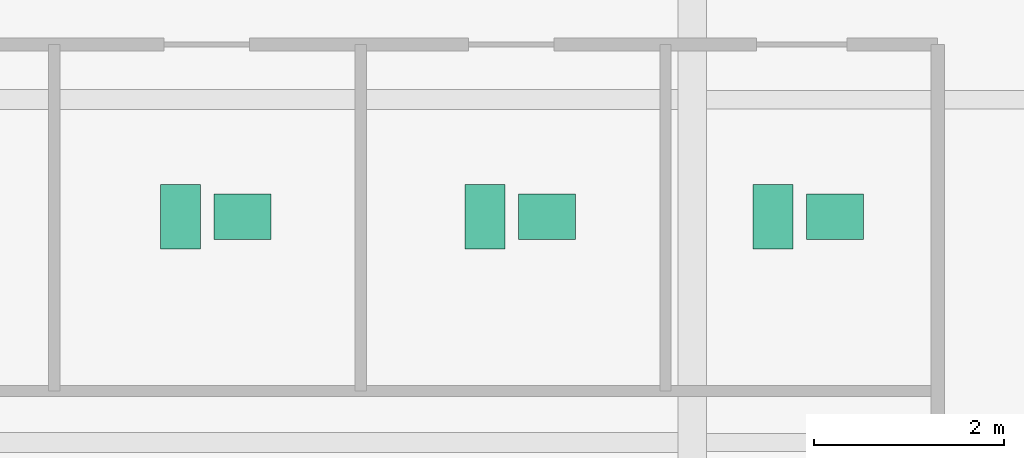
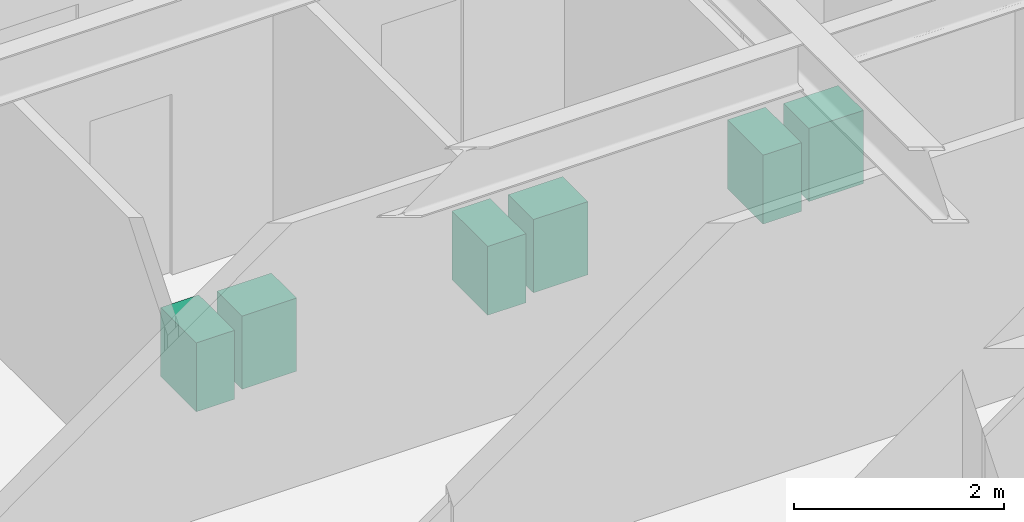
# One storey, part 29 of 29: 6 sanitary terminals.
"""IFC4 building model written with IfcOpenShell, lengths in metres."""

from ifc_helpers import new_model, si_unit, direction, frame, origin, origin_2d, place, context, subcontext, project, spatial, rectangle, extrude, source, transform, mapped, material, type_object, type_shapes, element, save


model = new_model("IFC4")

# Units and contexts
model_context = context("Model", 3, precision=1e-05, world=origin(), true_north=direction((0.0, 1.0)))
body_context = subcontext(model_context, "Body", "Model", "MODEL_VIEW")
ifc_project = project(units=[si_unit("LENGTHUNIT", "METRE"), si_unit("AREAUNIT", "SQUARE_METRE"), si_unit("VOLUMEUNIT", "CUBIC_METRE"), si_unit("PLANEANGLEUNIT", "RADIAN"), si_unit("MASSUNIT", "GRAM", prefix="KILO")], contexts=[model_context])

# Site, building, storey
site_placement = place(None, origin())
site = spatial("IfcSite", under=ifc_project, at=site_placement, CompositionType="ELEMENT")
building_placement = place(site_placement, origin())
building = spatial("IfcBuilding", under=site, at=building_placement, Name="Krantzveldt Concourse Tower", CompositionType="ELEMENT")
storey_placement = place(building_placement, frame((0.0, 0.0, 60.550048828125)))
storey = spatial("IfcBuildingStorey", under=building, at=storey_placement, Name="L14", CompositionType="ELEMENT", Elevation=60.550048828125)

# Sanitary terminals
ifc_material = material(Name="Vitreous china", Category="ceramic")
sanitary_terminal_type_1 = type_object("IfcSanitaryTerminalType", Name="SAN-WC-SUITE", PredefinedType="TOILETPAN", material=ifc_material)
shared_shape_1 = source(origin(), body_context, "Body", "SweptSolid", [
    extrude(rectangle(XDim=0.419921875, YDim=0.679931640625, at=origin_2d()), origin(), (0.0, 0.0, 1.0), 0.800048828125),
])
type_shapes(sanitary_terminal_type_1, [shared_shape_1])
for number, where, z_axis, x_axis, name in (
    (1, (36.02490234375, 32.570068359375, 0.0), (0.0, 0.0, 1.0), (1.0, 0.0, 0.0), "WC-SP-L14-WCM"),
    (2, (39.22509765625, 32.570068359375, 0.0), (0.0, 0.0, 1.0), (1.0, 0.0, 0.0), "WC-SP-L14-WCF"),
    (3, (42.25, 32.570068359375, 0.0), (0.0, 0.0, 1.0), (1.0, 0.0, 0.0), "WC-SP-L14-WCA"),
):
    element("IfcSanitaryTerminal", number, at=place(storey_placement, frame(where, z_axis=z_axis, x_axis=x_axis)), inside=storey, type_object=sanitary_terminal_type_1, Name=name, PredefinedType="TOILETPAN", context=body_context, shape_type="MappedRepresentation", body=[
        mapped(shared_shape_1, transform((0.0, 0.0, 0.0), x_axis=(1.0, 0.0, 0.0), y_axis=(0.0, 1.0, 0.0), z_axis=(0.0, 0.0, 1.0), scale=1.0)),
    ])
sanitary_terminal_type_2 = type_object("IfcSanitaryTerminalType", Name="SAN-BASIN-600", PredefinedType="WASHHANDBASIN", material=ifc_material)
shared_shape_2 = source(origin(), body_context, "Body", "SweptSolid", [
    extrude(rectangle(XDim=0.60009765625, YDim=0.47998046875, at=origin_2d()), origin(), (0.0, 0.0, 1.0), 0.85009765625),
])
type_shapes(sanitary_terminal_type_2, [shared_shape_2])
for number, where, z_axis, x_axis, name in (
    (4, (36.675048828125, 32.570068359375, 0.0048828125), (0.0, 0.0, 1.0), (1.0, 0.0, 0.0), "BSN-SP-L14-WCM"),
    (5, (39.875, 32.570068359375, 0.0048828125), (0.0, 0.0, 1.0), (1.0, 0.0, 0.0), "BSN-SP-L14-WCF"),
    (6, (42.89990234375, 32.570068359375, 0.0048828125), (0.0, 0.0, 1.0), (1.0, 0.0, 0.0), "BSN-SP-L14-WCA"),
):
    element("IfcSanitaryTerminal", number, at=place(storey_placement, frame(where, z_axis=z_axis, x_axis=x_axis)), inside=storey, type_object=sanitary_terminal_type_2, Name=name, PredefinedType="WASHHANDBASIN", context=body_context, shape_type="MappedRepresentation", body=[
        mapped(shared_shape_2, transform((0.0, 0.0, 0.0), x_axis=(1.0, 0.0, 0.0), y_axis=(0.0, 1.0, 0.0), z_axis=(0.0, 0.0, 1.0), scale=1.0)),
    ])

save(model, "model.ifc")
